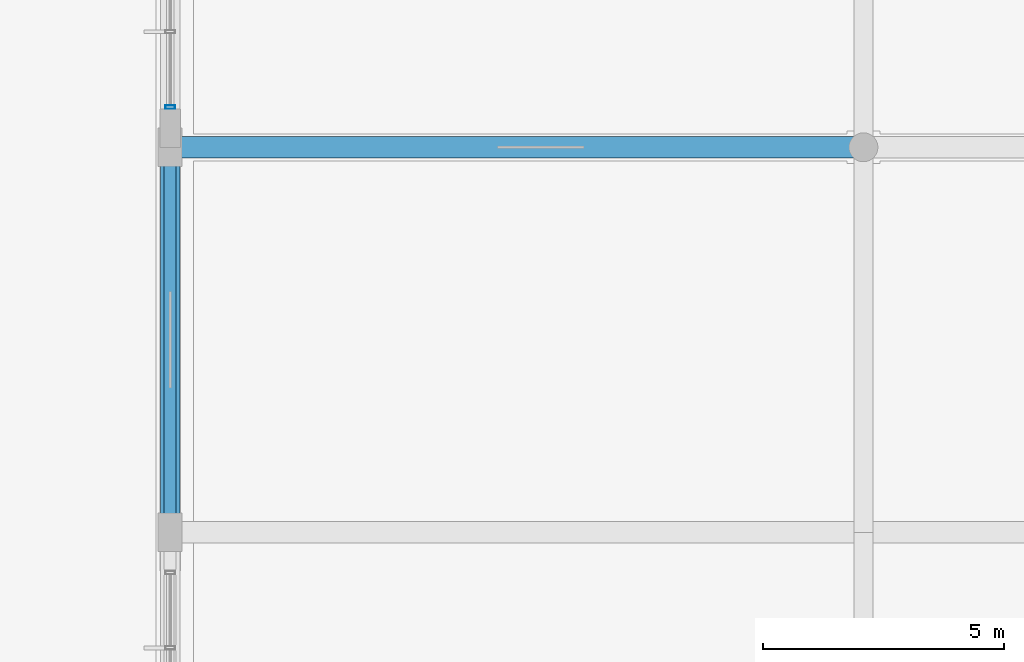
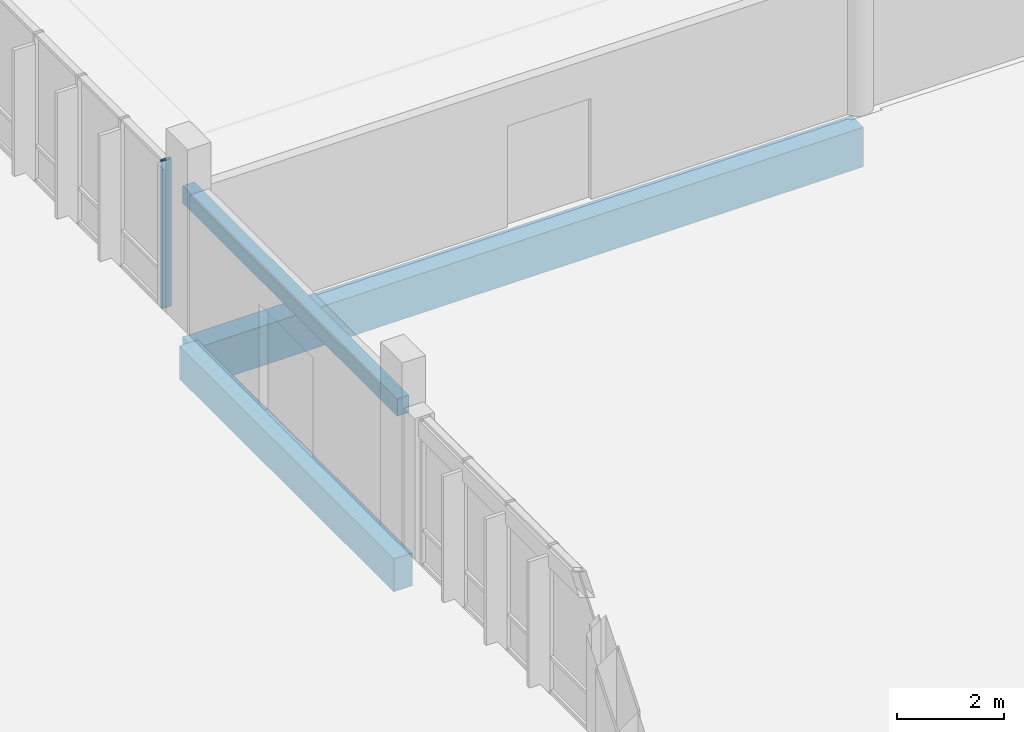
# One storey, part 61 of 233: 3 beams, 1 member, 1 element without a shape of its own.
"""IFC4 building model written with IfcOpenShell, lengths in metres."""

from ifc_helpers import new_model, si_unit, direction, frame, origin, origin_2d, place, context, subcontext, project, spatial, rectangle, hollow_rectangle, extrude, material, material_profile, profile_set, type_object, element, aggregate, save


model = new_model("IFC4")

# Units and contexts
model_context = context("Model", 3, precision=1e-05, world=origin(), true_north=direction((0.0, 1.0)))
body_context = subcontext(model_context, "Body", "Model", "MODEL_VIEW")
ifc_project = project(units=[si_unit("LENGTHUNIT", "METRE"), si_unit("AREAUNIT", "SQUARE_METRE"), si_unit("VOLUMEUNIT", "CUBIC_METRE"), si_unit("PLANEANGLEUNIT", "RADIAN"), si_unit("MASSUNIT", "GRAM", prefix="KILO")], contexts=[model_context])

# Site, building, storey
site_placement = place(None, origin())
site = spatial("IfcSite", under=ifc_project, at=site_placement, CompositionType="ELEMENT")
building_placement = place(site_placement, origin())
building = spatial("IfcBuilding", under=site, at=building_placement, Name="Zavelmont Quarter", CompositionType="ELEMENT")
storey_placement = place(building_placement, origin())
storey = spatial("IfcBuildingStorey", under=building, at=storey_placement, Name="L00", CompositionType="ELEMENT", Elevation=0.0)

# Beams
ifc_material_1 = material(Name="Concrete C35/45", Category="concrete")
ifc_material_profile_1 = material_profile(ifc_material_1, rectangle(XDim=0.25, YDim=0.39990234375, at=origin_2d()), Name="RC250X400")
ifc_profile_set_1 = profile_set([ifc_material_profile_1], Name="Concrete C35/45")
beam_type_1 = type_object("IfcBeamType", Name="BM04", PredefinedType="LINTEL", material=ifc_profile_set_1)
beam_1_placement = place(storey_placement, frame((55.199951171875, 54.0, 3.10009765625), z_axis=(0.0, 1.0, 0.0), x_axis=(-1.0, 0.0, 0.0)))
element("IfcBeam", 1, at=beam_1_placement, inside=storey, type_object=beam_type_1, Name="L00 beam BM04 9/J to 9/K", PredefinedType="LINTEL", context=body_context, shape_type="SweptSolid", body=[
    extrude(rectangle(XDim=0.25, YDim=0.39990234375, at=origin_2d()), origin(), (0.0, 0.0, 1.0), 8.0),
])
ifc_material_2 = material(Name="Concrete C40/50", Category="concrete")
ifc_material_profile_2 = material_profile(ifc_material_2, rectangle(XDim=0.39990234375, YDim=0.75, at=origin_2d()), Name="RC400X750")
ifc_profile_set_2 = profile_set([ifc_material_profile_2], Name="Concrete C40/50")
beam_type_2 = type_object("IfcBeamType", Name="BM05", PredefinedType="BEAM", material=ifc_profile_set_2)
beam_2_placement = place(storey_placement, frame((55.199951171875, 54.0, -0.695068359375), z_axis=(0.0, 1.0, 0.0), x_axis=(-1.0, 0.0, 0.0)))
element("IfcBeam", 2, at=beam_2_placement, inside=storey, type_object=beam_type_2, Name="L00 beam BM05 9/J to 9/K", PredefinedType="BEAM", context=body_context, shape_type="SweptSolid", body=[
    extrude(rectangle(XDim=0.39990234375, YDim=0.75, at=origin_2d()), origin(), (0.0, 0.0, 1.0), 8.0),
])
ifc_material_profile_3 = material_profile(ifc_material_2, rectangle(XDim=0.449951171875, YDim=0.89990234375, at=origin_2d()), Name="RC450X900")
ifc_profile_set_3 = profile_set([ifc_material_profile_3], Name="Concrete C40/50")
beam_type_3 = type_object("IfcBeamType", Name="BM06", PredefinedType="BEAM", material=ifc_profile_set_3)
beam_3_placement = place(storey_placement, frame((55.199951171875, 62.0, -0.77001953125), z_axis=(1.0, 0.0, 0.0), x_axis=(0.0, 1.0, 0.0)))
element("IfcBeam", 3, at=beam_3_placement, inside=storey, type_object=beam_type_3, Name="L00 beam BM06 9/K to 11/K", PredefinedType="BEAM", context=body_context, shape_type="SweptSolid", body=[
    extrude(rectangle(XDim=0.449951171875, YDim=0.89990234375, at=origin_2d()), origin(), (0.0, 0.0, 1.0), 14.400146484375),
])

# Curtain wall, member
ifc_material_3 = material(Name="Thermally broken aluminium and double low-E safety glazing", Category="aluminium")
curtain_wall_type = type_object("IfcCurtainWallType", Name="CW-640X336", PredefinedType="NOTDEFINED", material=ifc_material_3)
curtain_wall_placement = place(storey_placement, origin())
curtain_wall = element("IfcCurtainWall", 4, at=curtain_wall_placement, inside=storey, type_object=curtain_wall_type, Name="L00 unitised curtain wall CW-640X336", PredefinedType="NOTDEFINED")
ifc_material_4 = material(Name="Powder-coated aluminium EN AW-6063-T6", Category="aluminium")
ifc_material_profile_4 = material_profile(ifc_material_4, hollow_rectangle(XDim=0.070068359375, YDim=0.199951171875, WallThickness=0.0048828125, at=origin_2d()), Name="CWM70X200")
ifc_profile_set_4 = profile_set([ifc_material_profile_4], Name="Powder-coated aluminium EN AW-6063-T6")
member_type = type_object("IfcMemberType", Name="CWM02", PredefinedType="MULLION", material=ifc_profile_set_4)
member_placement = place(storey_placement, frame((55.199951171875, 62.8349609375, 0.0), z_axis=(0.0, 0.0, 1.0), x_axis=(0.0, 1.0, 0.0)))
member = element("IfcMember", 5, at=member_placement, type_object=member_type, Name="CW-640X336 mullion 1", PredefinedType="MULLION", context=body_context, shape_type="SweptSolid", body=[
    extrude(hollow_rectangle(XDim=0.070068359375, YDim=0.199951171875, WallThickness=0.0048828125, at=origin_2d()), origin(), (0.0, 0.0, 1.0), 3.360107421875),
])
aggregate(curtain_wall, [member])

save(model, "model.ifc")
